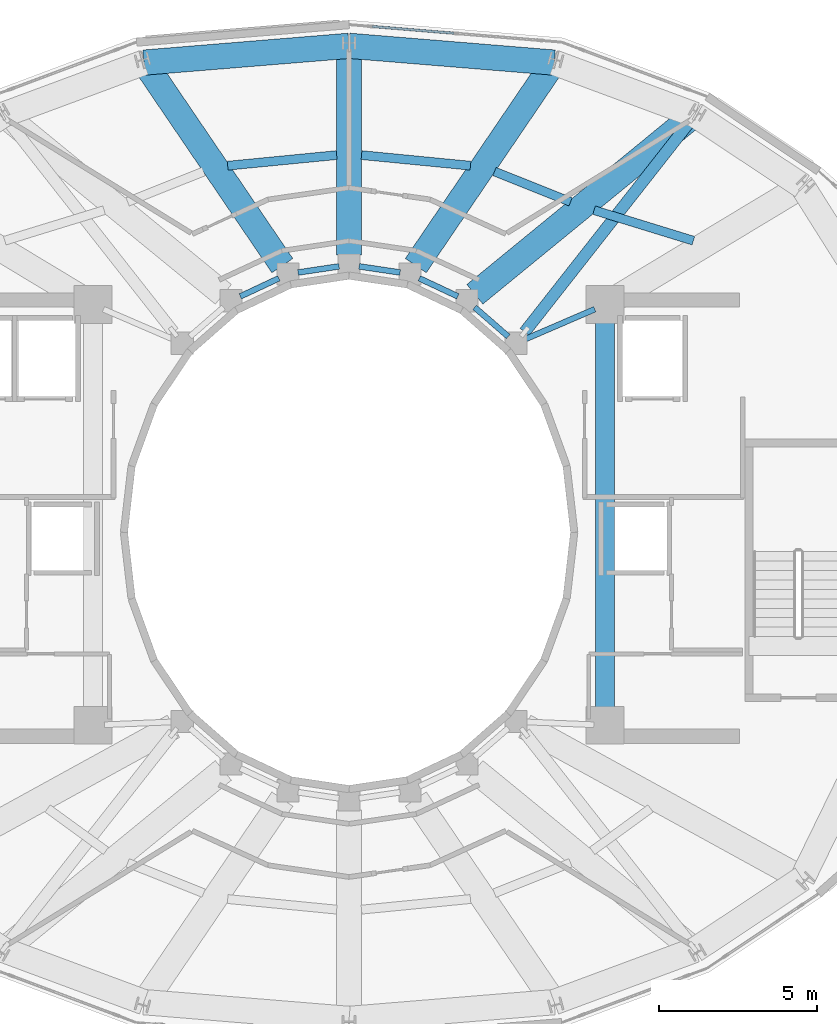
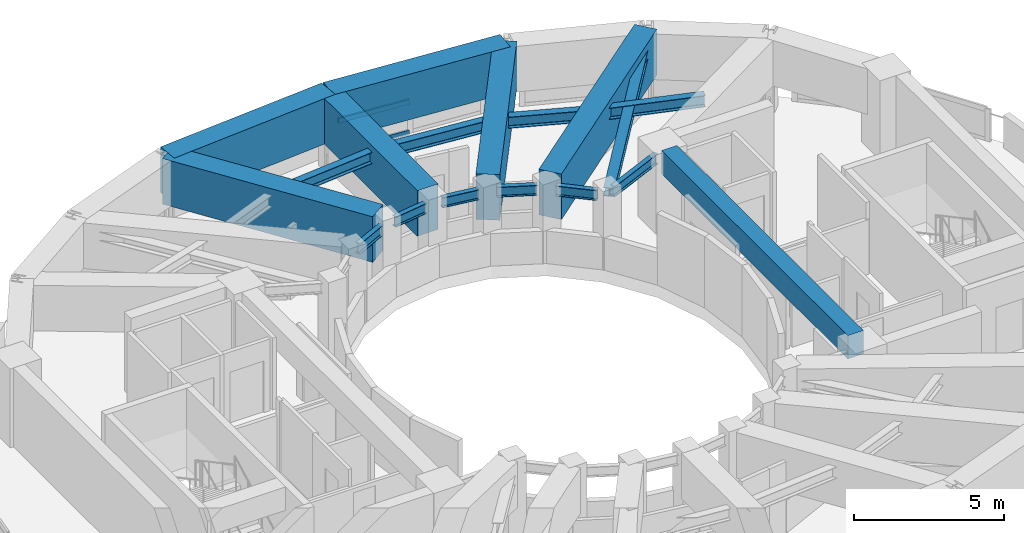
# One storey, part 10 of 21: 17 beams, 3 members, 1 element without a shape of its own.
"""IFC4 building model written with IfcOpenShell, lengths in metres."""

from ifc_helpers import new_model, si_unit, direction, frame, origin, origin_2d, place, context, subcontext, project, spatial, rectangle, hollow_rectangle, i_section, extrude, material, layer, layer_set, material_profile, profile_set, type_object, element, aggregate, save


model = new_model("IFC4")

# Units and contexts
model_context = context("Model", 3, precision=1e-05, world=origin(), true_north=direction((0.0, 1.0)))
body_context = subcontext(model_context, "Body", "Model", "MODEL_VIEW")
ifc_project = project(units=[si_unit("LENGTHUNIT", "METRE"), si_unit("AREAUNIT", "SQUARE_METRE"), si_unit("VOLUMEUNIT", "CUBIC_METRE"), si_unit("PLANEANGLEUNIT", "RADIAN"), si_unit("MASSUNIT", "GRAM", prefix="KILO")], contexts=[model_context])

# Site, building, storey
site_placement = place(None, origin())
site = spatial("IfcSite", under=ifc_project, at=site_placement, CompositionType="ELEMENT")
building_placement = place(site_placement, origin())
building = spatial("IfcBuilding", under=site, at=building_placement, Name="Solvane Sanctuary Tower", CompositionType="ELEMENT")
storey_placement = place(building_placement, frame((0.0, 0.0, 260.39990234375)))
storey = spatial("IfcBuildingStorey", under=building, at=storey_placement, Name="L79", CompositionType="ELEMENT", Elevation=260.39990234375)

# Beams
ifc_material_1 = material(Name="Concrete C70/85", Category="concrete")
ifc_material_profile_1 = material_profile(ifc_material_1, rectangle(XDim=0.60009765625, YDim=0.949951171875, at=origin_2d()), Name="RC600X950")
ifc_profile_set_1 = profile_set([ifc_material_profile_1], Name="Concrete C70/85")
beam_type_1 = type_object("IfcBeamType", Name="Beam B-COUPLE RC600X950", PredefinedType="LINTEL", material=ifc_profile_set_1)
beam_1_placement = place(storey_placement, frame((40.10009765625, 17.35009765625, 2.72509765625), z_axis=(0.0, 1.0, 0.0), x_axis=(-1.0, 0.0, 0.0)))
element("IfcBeam", 1, at=beam_1_placement, inside=storey, type_object=beam_type_1, Name="L79 East Core Coupling Lintel", PredefinedType="LINTEL", context=body_context, shape_type="SweptSolid", body=[
    extrude(rectangle(XDim=0.60009765625, YDim=0.949951171875, at=origin_2d()), origin(), (0.0, 0.0, 1.0), 12.39990234375),
])
ifc_material_2 = material(Name="Steel ASTM A992 Grade 50", Category="steel")
ifc_material_profile_2 = material_profile(ifc_material_2, i_section(OverallWidth=0.180908203125, OverallDepth=0.4169921875, WebThickness=0.010986328125, FlangeThickness=0.018310546875, FilletRadius=0.012939453125, at=origin_2d()), Name="W16X57")
ifc_profile_set_2 = profile_set([ifc_material_profile_2], Name="Steel ASTM A992 Grade 50")
beam_type_2 = type_object("IfcBeamType", Name="Beam B-ROOF-BM W16X57", PredefinedType="BEAM", material=ifc_profile_set_2)
beam_2_placement = place(storey_placement, frame((28.5595703125, 30.462646484375, 2.7294921875), z_axis=(0.905134542189, 0.425125229241, 0.0), x_axis=(-0.425125229241, 0.905134542189, 0.0)))
element("IfcBeam", 2, at=beam_2_placement, inside=storey, type_object=beam_type_2, Name="L79 Inner Light-Well Ring Beam IC06-IC05", PredefinedType="BEAM", context=body_context, shape_type="SweptSolid", body=[
    extrude(i_section(OverallWidth=0.180908203125, OverallDepth=0.4169921875, WebThickness=0.010986328125, FlangeThickness=0.018310546875, FilletRadius=0.012939453125, at=origin_2d()), origin(), (0.0, 0.0, 1.0), 1.347900390625),
])
for number, where, z_axis, x_axis, name in (
    (3, (30.3857421875, 31.218994140625, 2.7294921875), (0.989056121481, 0.147539786368, 0.0), (-0.147539786368, 0.989056121481, 0.0), "L79 Inner Light-Well Ring Beam IC05-IC04"),
    (4, (32.31640625, 31.41259765625, 2.7294921875), (0.989056121481, -0.147539786368, 0.0), (0.147539786368, 0.989056121481, 0.0), "L79 Inner Light-Well Ring Beam IC04-IC03"),
):
    element("IfcBeam", number, at=place(storey_placement, frame(where, z_axis=z_axis, x_axis=x_axis)), inside=storey, type_object=beam_type_2, Name=name, PredefinedType="BEAM", context=body_context, shape_type="SweptSolid", body=[
        extrude(i_section(OverallWidth=0.180908203125, OverallDepth=0.4169921875, WebThickness=0.010986328125, FlangeThickness=0.018310546875, FilletRadius=0.012939453125, at=origin_2d()), origin(), (0.0, 0.0, 1.0), 1.312255859375),
    ])
beam_3_placement = place(storey_placement, frame((34.220458984375, 31.03564453125, 2.7294921875), z_axis=(0.905134542189, -0.425125229241, 0.0), x_axis=(0.425125229241, 0.905134542189, 0.0)))
element("IfcBeam", 5, at=beam_3_placement, inside=storey, type_object=beam_type_2, Name="L79 Inner Light-Well Ring Beam IC03-IC02", PredefinedType="BEAM", context=body_context, shape_type="SweptSolid", body=[
    extrude(i_section(OverallWidth=0.180908203125, OverallDepth=0.4169921875, WebThickness=0.010986328125, FlangeThickness=0.018310546875, FilletRadius=0.012939453125, at=origin_2d()), origin(), (0.0, 0.0, 1.0), 1.347900390625),
])
beam_4_placement = place(storey_placement, frame((35.971435546875, 30.116455078125, 2.7294921875), z_axis=(0.754388985763, -0.656427648839, 0.0), x_axis=(0.656427648839, 0.754388985763, 0.0)))
element("IfcBeam", 6, at=beam_4_placement, inside=storey, type_object=beam_type_2, Name="L79 Inner Light-Well Ring Beam IC02-IC01", PredefinedType="BEAM", context=body_context, shape_type="SweptSolid", body=[
    extrude(i_section(OverallWidth=0.180908203125, OverallDepth=0.4169921875, WebThickness=0.010986328125, FlangeThickness=0.018310546875, FilletRadius=0.012939453125, at=origin_2d()), origin(), (0.0, 0.0, 1.0), 1.408203125),
])
beam_5_placement = place(storey_placement, frame((37.56884765625, 29.10888671875, 2.7294921875), z_axis=(0.918283854026, 0.395922673554, 0.0), x_axis=(-0.395922673554, 0.918283854026, 0.0)))
element("IfcBeam", 7, at=beam_5_placement, inside=storey, type_object=beam_type_2, Name="L79 Inner Light-Well Ring Beam IC01-CE4", PredefinedType="BEAM", context=body_context, shape_type="SweptSolid", body=[
    extrude(i_section(OverallWidth=0.180908203125, OverallDepth=0.4169921875, WebThickness=0.010986328125, FlangeThickness=0.018310546875, FilletRadius=0.012939453125, at=origin_2d()), origin(), (0.0, 0.0, 1.0), 2.396240234375),
])
ifc_material_profile_3 = material_profile(ifc_material_2, i_section(OverallWidth=0.280029296875, OverallDepth=0.462890625, WebThickness=0.0107421875, FlangeThickness=0.017333984375, FilletRadius=0.013916015625, at=origin_2d()), Name="W18X76")
ifc_profile_set_3 = profile_set([ifc_material_profile_3], Name="Steel ASTM A992 Grade 50")
beam_type_3 = type_object("IfcBeamType", Name="Beam B-SEC-JOIST W18X76", PredefinedType="JOIST", material=ifc_profile_set_3)
beam_6_placement = place(storey_placement, frame((28.16064453125, 34.5966796875, 2.70654296875), z_axis=(0.995303010894, 0.096808659249, 0.0), x_axis=(-0.096808659249, 0.995303010894, 0.0)))
element("IfcBeam", 8, at=beam_6_placement, inside=storey, type_object=beam_type_3, Name="L79 Secondary Circumferential Joist 05-04", PredefinedType="JOIST", context=body_context, shape_type="SweptSolid", body=[
    extrude(i_section(OverallWidth=0.280029296875, OverallDepth=0.462890625, WebThickness=0.0107421875, FlangeThickness=0.017333984375, FilletRadius=0.013916015625, at=origin_2d()), origin(), (0.0, 0.0, 1.0), 3.462646484375),
])
beam_7_placement = place(storey_placement, frame((32.39306640625, 34.931884765625, 2.70654296875), z_axis=(0.995302350021, -0.09681545353, 0.0), x_axis=(0.09681545353, 0.995302350021, 0.0)))
element("IfcBeam", 9, at=beam_7_placement, inside=storey, type_object=beam_type_3, Name="L79 Secondary Circumferential Joist 04-03", PredefinedType="JOIST", context=body_context, shape_type="SweptSolid", body=[
    extrude(i_section(OverallWidth=0.280029296875, OverallDepth=0.462890625, WebThickness=0.0107421875, FlangeThickness=0.017333984375, FilletRadius=0.013916015625, at=origin_2d()), origin(), (0.0, 0.0, 1.0), 3.46240234375),
])
beam_8_placement = place(storey_placement, frame((36.59912109375, 34.412109375, 2.70654296875), z_axis=(0.928781983556, -0.370626533079, 0.0), x_axis=(0.370626533079, 0.928781983556, 0.0)))
element("IfcBeam", 10, at=beam_8_placement, inside=storey, type_object=beam_type_3, Name="L79 Secondary Circumferential Joist 03-02", PredefinedType="JOIST", context=body_context, shape_type="SweptSolid", body=[
    extrude(i_section(OverallWidth=0.280029296875, OverallDepth=0.462890625, WebThickness=0.0107421875, FlangeThickness=0.017333984375, FilletRadius=0.013916015625, at=origin_2d()), origin(), (0.0, 0.0, 1.0), 2.58935546875),
])
beam_9_placement = place(storey_placement, frame((39.74853515625, 33.18994140625, 2.70654296875), z_axis=(0.955859309018, -0.293824746004, 0.0), x_axis=(0.293824746004, 0.955859309018, 0.0)))
element("IfcBeam", 11, at=beam_9_placement, inside=storey, type_object=beam_type_3, Name="L79 Secondary Circumferential Joist 02-01", PredefinedType="JOIST", context=body_context, shape_type="SweptSolid", body=[
    extrude(i_section(OverallWidth=0.280029296875, OverallDepth=0.462890625, WebThickness=0.0107421875, FlangeThickness=0.017333984375, FilletRadius=0.013916015625, at=origin_2d()), origin(), (0.0, 0.0, 1.0), 3.285400390625),
])
ifc_material_profile_4 = material_profile(ifc_material_1, rectangle(XDim=0.800048828125, YDim=1.85009765625, at=origin_2d()), Name="RC800X1850")
ifc_profile_set_4 = profile_set([ifc_material_profile_4], Name="Concrete C70/85")
beam_type_4 = type_object("IfcBeamType", Name="Beam B-XFER-BLK RC800X1850", PredefinedType="BEAM", material=ifc_profile_set_4)
beam_10_placement = place(storey_placement, frame((35.977783203125, 30.529296875, 2.275146484375), z_axis=(0.773916156075, 0.63328807297, 0.0), x_axis=(-0.63328807297, 0.773916156075, 0.0)))
element("IfcBeam", 12, at=beam_10_placement, inside=storey, type_object=beam_type_4, Name="L79 Block-Shift Radial Transfer Girder 02A", PredefinedType="BEAM", context=body_context, shape_type="SweptSolid", body=[
    extrude(rectangle(XDim=0.800048828125, YDim=1.85009765625, at=origin_2d()), origin(), (0.0, 0.0, 1.0), 8.989501953125),
])
beam_11_placement = place(storey_placement, frame((34.110595703125, 31.436279296875, 2.275146484375), z_axis=(0.562074506433, 0.827086603215, 0.0), x_axis=(-0.827086603215, 0.562074506433, 0.0)))
element("IfcBeam", 13, at=beam_11_placement, inside=storey, type_object=beam_type_4, Name="L79 Block-Shift Radial Transfer Girder 03A", PredefinedType="BEAM", context=body_context, shape_type="SweptSolid", body=[
    extrude(rectangle(XDim=0.800048828125, YDim=1.85009765625, at=origin_2d()), origin(), (0.0, 0.0, 1.0), 7.769775390625),
])
beam_12_placement = place(storey_placement, frame((32.0, 31.780029296875, 2.275146484375), z_axis=(0.0, 1.0, 0.0), x_axis=(-1.0, 0.0, 0.0)))
element("IfcBeam", 14, at=beam_12_placement, inside=storey, type_object=beam_type_4, Name="L79 Block-Shift Radial Transfer Girder 04A", PredefinedType="BEAM", context=body_context, shape_type="SweptSolid", body=[
    extrude(rectangle(XDim=0.800048828125, YDim=1.85009765625, at=origin_2d()), origin(), (0.0, 0.0, 1.0), 6.599853515625),
])
beam_13_placement = place(storey_placement, frame((29.889404296875, 31.436279296875, 2.275146484375), z_axis=(-0.562074506433, 0.827086603215, 0.0), x_axis=(-0.827086603215, -0.562074506433, 0.0)))
element("IfcBeam", 15, at=beam_13_placement, inside=storey, type_object=beam_type_4, Name="L79 Block-Shift Radial Transfer Girder 05A", PredefinedType="BEAM", context=body_context, shape_type="SweptSolid", body=[
    extrude(rectangle(XDim=0.800048828125, YDim=1.85009765625, at=origin_2d()), origin(), (0.0, 0.0, 1.0), 7.769775390625),
])
for number, where, z_axis, x_axis, name in (
    (16, (25.51123046875, 37.857421875, 2.275146484375), (0.99666217452, 0.081636449467, 0.0), (-0.081636449467, 0.99666217452, 0.0), "L79 Perimeter Step Transfer Ring NTC05-NTC04"),
    (17, (32.0, 38.388916015625, 2.275146484375), (0.99666217452, -0.081636449467, 0.0), (0.081636449467, 0.99666217452, 0.0), "L79 Perimeter Step Transfer Ring NTC04-NTC03"),
):
    element("IfcBeam", number, at=place(storey_placement, frame(where, z_axis=z_axis, x_axis=x_axis)), inside=storey, type_object=beam_type_4, Name=name, PredefinedType="BEAM", context=body_context, shape_type="SweptSolid", body=[
        extrude(rectangle(XDim=0.800048828125, YDim=1.85009765625, at=origin_2d()), origin(), (0.0, 0.0, 1.0), 6.510498046875),
    ])

# Member
ifc_material_profile_5 = material_profile(ifc_material_2, i_section(OverallWidth=0.368896484375, OverallDepth=0.35595703125, WebThickness=0.01123046875, FlangeThickness=0.01806640625, FilletRadius=0.02490234375, at=origin_2d()), Name="W14X90")
ifc_profile_set_5 = profile_set([ifc_material_profile_5], Name="Steel ASTM A992 Grade 50")
member_type_1 = type_object("IfcMemberType", Name="Member M-CROWN-TIE W14X90", PredefinedType="CHORD", material=ifc_profile_set_5)
member_1_placement = place(storey_placement, frame((37.555908203125, 29.33984375, 2.540283203125), z_axis=(0.617589777425, 0.786175324779, 0.022610296939), x_axis=(-0.786376358311, 0.617747701809, 0.0)))
element("IfcMember", 18, at=member_1_placement, inside=storey, type_object=member_type_1, Name="L79 Crown Bracing Tie 01", PredefinedType="CHORD", context=body_context, shape_type="SweptSolid", body=[
    extrude(i_section(OverallWidth=0.368896484375, OverallDepth=0.35595703125, WebThickness=0.01123046875, FlangeThickness=0.01806640625, FilletRadius=0.02490234375, at=origin_2d()), origin(), (0.0, 0.0, 1.0), 8.61669921875),
])

# Curtain wall, members
ifc_material_3 = material(Name="Anodised Aluminium 6063-T6", Category="aluminium")
ifc_layer = layer(ifc_material_3, 0.219970703125, Name="Anodised Aluminium 6063-T6")
ifc_layer_set = layer_set([ifc_layer], Name="Anodised Aluminium 6063-T6")
curtain_wall_type = type_object("IfcCurtainWallType", Name="Curtain Wall CW-CROWN", PredefinedType="NOTDEFINED", material=ifc_layer_set)
curtain_wall_placement = place(storey_placement, origin())
curtain_wall = element("IfcCurtainWall", 19, at=curtain_wall_placement, inside=storey, type_object=curtain_wall_type, Name="L79 Crown Fritted Lantern Curtain Wall 05", PredefinedType="NOTDEFINED")
ifc_material_profile_6 = material_profile(ifc_material_3, hollow_rectangle(XDim=0.074951171875, YDim=0.199951171875, WallThickness=0.00390625, at=origin_2d()), Name="ALU200X75X4")
ifc_profile_set_6 = profile_set([ifc_material_profile_6], Name="Anodised Aluminium 6063-T6")
member_type_2 = type_object("IfcMemberType", Name="Member M-CW-TRN-2 ALU200X75X4", PredefinedType="USERDEFINED", material=ifc_profile_set_6)
member_2_placement = place(storey_placement, frame((35.322998046875, 38.78564453125, 0.03759765625), z_axis=(-0.996611905879, 0.082247851401, 0.0), x_axis=(-0.082247851401, -0.996611905879, 0.0)))
member_2 = element("IfcMember", 20, at=member_2_placement, type_object=member_type_2, Name="CW-CROWN transom 2.1", ObjectType="TRANSOM", PredefinedType="USERDEFINED", context=body_context, shape_type="SweptSolid", body=[
    extrude(hollow_rectangle(XDim=0.074951171875, YDim=0.199951171875, WallThickness=0.00390625, at=origin_2d()), origin(), (0.0, 0.0, 1.0), 2.609130859375),
])
member_3_placement = place(storey_placement, frame((35.322998046875, 38.78564453125, 1.28271484375), z_axis=(-0.996611905879, 0.082247851401, 0.0), x_axis=(-0.082247851401, -0.996611905879, 0.0)))
member_3 = element("IfcMember", 21, at=member_3_placement, type_object=member_type_2, Name="CW-CROWN transom 2.2", ObjectType="TRANSOM", PredefinedType="USERDEFINED", context=body_context, shape_type="SweptSolid", body=[
    extrude(hollow_rectangle(XDim=0.074951171875, YDim=0.199951171875, WallThickness=0.00390625, at=origin_2d()), origin(), (0.0, 0.0, 1.0), 2.609130859375),
])
aggregate(curtain_wall, [member_2, member_3])

save(model, "model.ifc")
